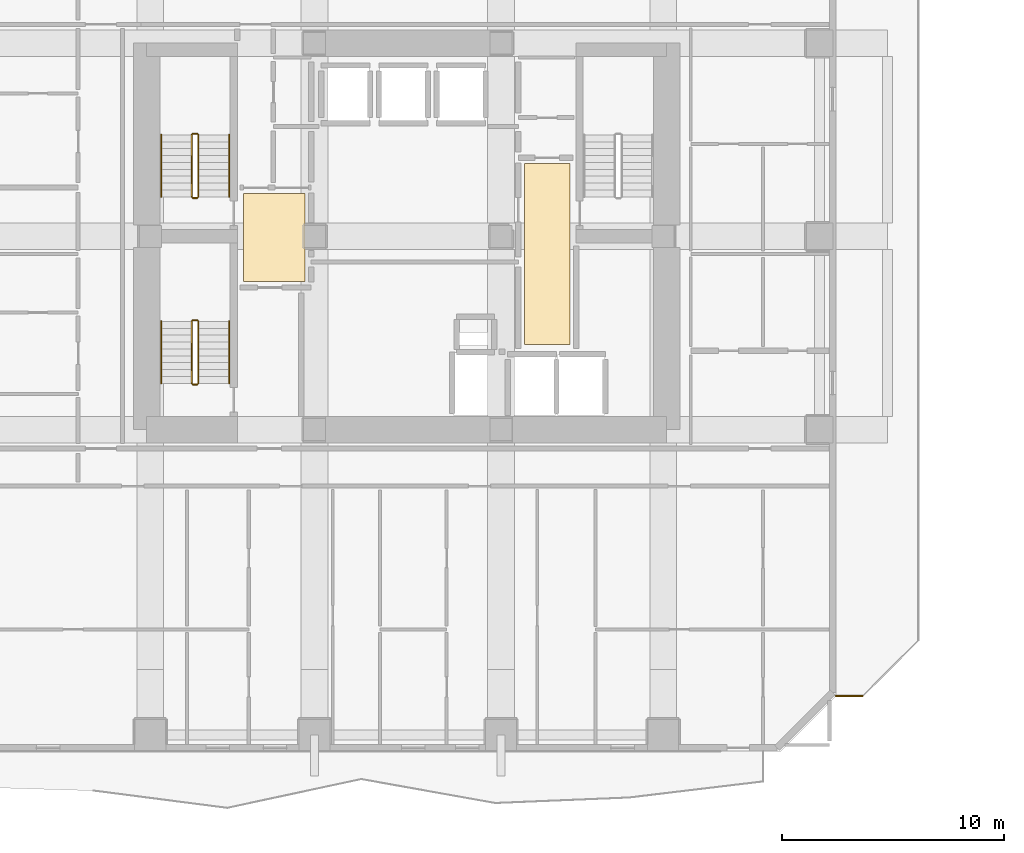
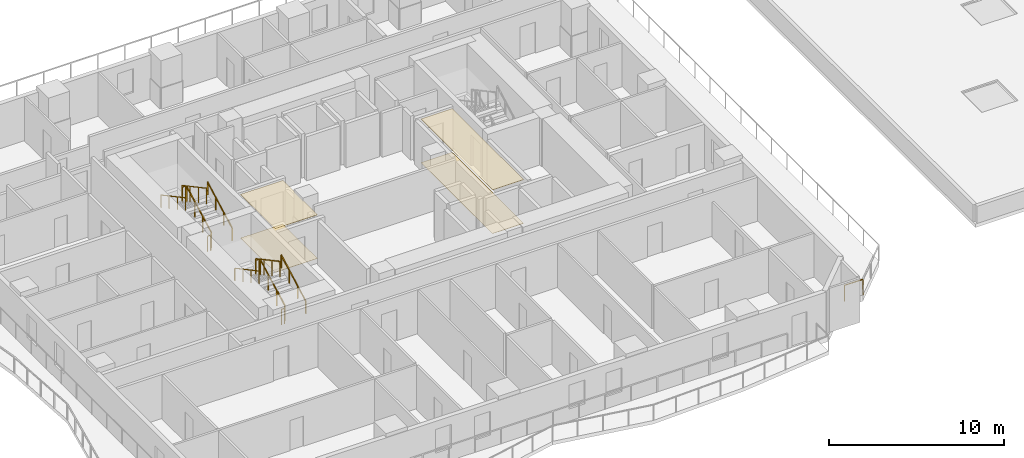
# One storey, part 11 of 13: 13 railings, 4 coverings.
"""IFC4 building model written with IfcOpenShell, lengths in metres."""

from ifc_helpers import new_model, si_unit, direction, frame, origin, origin_2d, place, context, subcontext, project, spatial, polyline, rectangle, outline, extrude, material, layer, layer_set, type_object, element, save


model = new_model("IFC4")

# Units and contexts
model_context = context("Model", 3, precision=1e-05, world=origin(), true_north=direction((0.0, 1.0)))
body_context = subcontext(model_context, "Body", "Model", "MODEL_VIEW")
ifc_project = project(units=[si_unit("LENGTHUNIT", "METRE"), si_unit("AREAUNIT", "SQUARE_METRE"), si_unit("VOLUMEUNIT", "CUBIC_METRE"), si_unit("PLANEANGLEUNIT", "RADIAN"), si_unit("MASSUNIT", "GRAM", prefix="KILO")], contexts=[model_context])

# Site, building, storey
site_placement = place(None, origin())
site = spatial("IfcSite", under=ifc_project, at=site_placement, CompositionType="ELEMENT")
building_placement = place(site_placement, origin())
building = spatial("IfcBuilding", under=site, at=building_placement, Name="Solanera Arch Residences", CompositionType="ELEMENT")
storey_placement = place(building_placement, frame((0.0, 0.0, 22.0)))
storey = spatial("IfcBuildingStorey", under=building, at=storey_placement, Name="L05", CompositionType="ELEMENT", Elevation=22.0)

# Railing
ifc_material_1 = material(Name="Steel S355 (ASTM A992 / A572 Grade 50)", Category="steel")
railing_type_1 = type_object("IfcRailingType", Name="Balustrade Railing BL-1100", PredefinedType="BALUSTRADE", material=ifc_material_1)
railing_1_placement = place(storey_placement, frame((44.280029296875, 10.0, 0.0)))
element("IfcRailing", 1, at=railing_1_placement, inside=storey, type_object=railing_type_1, Name="L05 Sky Terrace Guardrail 1", PredefinedType="BALUSTRADE", context=body_context, shape_type="SweptSolid", body=[
    extrude(rectangle(XDim=0.048095703125, YDim=0.048095703125, at=origin_2d()), frame((0.0, 0.0, 1.09619140625), z_axis=(1.0, 0.0, 0.0), x_axis=(0.0, 1.0, 0.0)), (0.0, 0.0, 1.0), 1.219970703125),
    extrude(rectangle(XDim=0.0419921875, YDim=0.0419921875, at=origin_2d()), origin(), (0.0, 0.0, 1.0), 1.072021484375),
    extrude(rectangle(XDim=0.0419921875, YDim=0.0419921875, at=origin_2d()), frame((1.219970703125, 0.0, 0.0)), (0.0, 0.0, 1.0), 1.072021484375),
])

# Coverings
ifc_material_2 = material(Name="Porcelain Acoustic Floor Tile", Category="ceramic")
ifc_layer_1 = layer(ifc_material_2, 0.02001953125)
ifc_layer_set_1 = layer_set([ifc_layer_1], Name="Porcelain Acoustic Floor Tile")
covering_type_1 = type_object("IfcCoveringType", Name="Porcelain Acoustic Floor Finish FLR-20", PredefinedType="FLOORING", material=ifc_layer_set_1)
covering_1_placement = place(storey_placement, origin())
element("IfcCovering", 2, at=covering_1_placement, inside=storey, type_object=covering_type_1, Name="L05-FFL-W Porcelain Floor Finish", PredefinedType="FLOORING", context=body_context, shape_type="SweptSolid", body=[
    extrude(outline(polyline([(20.375, 28.675048828125), (17.594970703125, 28.675048828125), (17.594970703125, 32.625), (20.375, 32.625), (20.375, 28.675048828125)])), origin(), (0.0, 0.0, 1.0), 0.02001953125),
])
covering_2_placement = place(storey_placement, origin())
element("IfcCovering", 3, at=covering_2_placement, inside=storey, type_object=covering_type_1, Name="L05-FFL-E Porcelain Floor Finish", PredefinedType="FLOORING", context=body_context, shape_type="SweptSolid", body=[
    extrude(outline(polyline([(32.304931640625, 25.824951171875), (30.25, 25.824951171875), (30.25, 33.97509765625), (32.304931640625, 33.97509765625), (32.304931640625, 25.824951171875)])), origin(), (0.0, 0.0, 1.0), 0.02001953125),
])

# Railings
ifc_material_3 = material(Name="Steel S355 (ASTM A992 / A572 Grade 50)", Category="steel")
railing_type_2 = type_object("IfcRailingType", Name="Stair Guardrail GR-1100", PredefinedType="GUARDRAIL", material=ifc_material_3)
railing_2_placement = place(storey_placement, frame((15.570068359375, 32.47998046875, 0.15087890625)))
element("IfcRailing", 4, at=railing_2_placement, inside=storey, type_object=railing_type_2, Name="L05 ST-T1 stair guard 1", PredefinedType="GUARDRAIL", context=body_context, shape_type="SweptSolid", body=[
    extrude(rectangle(XDim=0.048095703125, YDim=0.048095703125, at=origin_2d()), frame((0.0, 0.0, 1.076171875), z_axis=(0.0, 0.881548766853, 0.472092969298), x_axis=(-1.0, 0.0, 0.0)), (0.0, 0.0, 1.0), 3.1650390625),
    extrude(rectangle(XDim=0.0419921875, YDim=0.0419921875, at=origin_2d()), origin(), (0.0, 0.0, 1.0), 1.052001953125),
    extrude(rectangle(XDim=0.0419921875, YDim=0.0419921875, at=origin_2d()), frame((0.0, 0.929931640625, 0.498046875)), (0.0, 0.0, 1.0), 1.052001953125),
    extrude(rectangle(XDim=0.0419921875, YDim=0.0419921875, at=origin_2d()), frame((0.0, 1.860107421875, 0.99609375)), (0.0, 0.0, 1.0), 1.052001953125),
    extrude(rectangle(XDim=0.0419921875, YDim=0.0419921875, at=origin_2d()), frame((0.0, 2.7900390625, 1.494140625)), (0.0, 0.0, 1.0), 1.052001953125),
])
railing_3_placement = place(storey_placement, frame((15.52001953125, 35.320068359375, 1.64501953125)))
element("IfcRailing", 5, at=railing_3_placement, inside=storey, type_object=railing_type_2, Name="L05 ST-T1 stair guard 2", PredefinedType="GUARDRAIL", context=body_context, shape_type="SweptSolid", body=[
    extrude(rectangle(XDim=0.048095703125, YDim=0.048095703125, at=origin_2d()), frame((0.0, 0.0, 1.076171875), z_axis=(-1.0, 0.0, 0.0), x_axis=(0.0, -1.0, 0.0)), (0.0, 0.0, 1.0), 0.199951171875),
    extrude(rectangle(XDim=0.0419921875, YDim=0.0419921875, at=origin_2d()), origin(), (0.0, 0.0, 1.0), 1.052001953125),
    extrude(rectangle(XDim=0.0419921875, YDim=0.0419921875, at=origin_2d()), frame((-0.199951171875, 0.0, 0.0)), (0.0, 0.0, 1.0), 1.052001953125),
])
railing_4_placement = place(storey_placement, frame((15.27001953125, 35.27001953125, 1.81103515625)))
element("IfcRailing", 6, at=railing_4_placement, inside=storey, type_object=railing_type_2, Name="L05 ST-T1 stair guard 3", PredefinedType="GUARDRAIL", context=body_context, shape_type="SweptSolid", body=[
    extrude(rectangle(XDim=0.048095703125, YDim=0.048095703125, at=origin_2d()), frame((0.0, 0.0, 1.076171875), z_axis=(0.0, -0.881580869306, 0.472033018838), x_axis=(1.0, 0.0, 0.0)), (0.0, 0.0, 1.0), 3.164794921875),
    extrude(rectangle(XDim=0.0419921875, YDim=0.0419921875, at=origin_2d()), origin(), (0.0, 0.0, 1.0), 1.052001953125),
    extrude(rectangle(XDim=0.0419921875, YDim=0.0419921875, at=origin_2d()), frame((0.0, -0.929931640625, 0.498046875)), (0.0, 0.0, 1.0), 1.052001953125),
    extrude(rectangle(XDim=0.0419921875, YDim=0.0419921875, at=origin_2d()), frame((0.0, -1.860107421875, 0.995849609375)), (0.0, 0.0, 1.0), 1.052001953125),
    extrude(rectangle(XDim=0.0419921875, YDim=0.0419921875, at=origin_2d()), frame((0.0, -2.7900390625, 1.493896484375)), (0.0, 0.0, 1.0), 1.052001953125),
])
railing_5_placement = place(storey_placement, frame((15.52001953125, 32.429931640625, -0.014892578125)))
element("IfcRailing", 7, at=railing_5_placement, inside=storey, type_object=railing_type_2, Name="L05 ST-T1 stair guard 4", PredefinedType="GUARDRAIL", context=body_context, shape_type="SweptSolid", body=[
    extrude(rectangle(XDim=0.048095703125, YDim=0.048095703125, at=origin_2d()), frame((0.0, 0.0, 1.076171875), z_axis=(-1.0, 0.0, 0.0), x_axis=(0.0, -1.0, 0.0)), (0.0, 0.0, 1.0), 0.199951171875),
    extrude(rectangle(XDim=0.0419921875, YDim=0.0419921875, at=origin_2d()), origin(), (0.0, 0.0, 1.0), 1.052001953125),
    extrude(rectangle(XDim=0.0419921875, YDim=0.0419921875, at=origin_2d()), frame((-0.199951171875, 0.0, 0.0)), (0.0, 0.0, 1.0), 1.052001953125),
])
railing_6_placement = place(storey_placement, frame((15.570068359375, 24.080078125, 0.15087890625)))
element("IfcRailing", 8, at=railing_6_placement, inside=storey, type_object=railing_type_2, Name="L05 ST-T3 stair guard 1", PredefinedType="GUARDRAIL", context=body_context, shape_type="SweptSolid", body=[
    extrude(rectangle(XDim=0.048095703125, YDim=0.048095703125, at=origin_2d()), frame((0.0, 0.0, 1.076171875), z_axis=(0.0, 0.881548766853, 0.472092969298), x_axis=(-1.0, 0.0, 0.0)), (0.0, 0.0, 1.0), 3.1650390625),
    extrude(rectangle(XDim=0.0419921875, YDim=0.0419921875, at=origin_2d()), origin(), (0.0, 0.0, 1.0), 1.052001953125),
    extrude(rectangle(XDim=0.0419921875, YDim=0.0419921875, at=origin_2d()), frame((0.0, 0.929931640625, 0.498046875)), (0.0, 0.0, 1.0), 1.052001953125),
    extrude(rectangle(XDim=0.0419921875, YDim=0.0419921875, at=origin_2d()), frame((0.0, 1.860107421875, 0.99609375)), (0.0, 0.0, 1.0), 1.052001953125),
    extrude(rectangle(XDim=0.0419921875, YDim=0.0419921875, at=origin_2d()), frame((0.0, 2.7900390625, 1.494140625)), (0.0, 0.0, 1.0), 1.052001953125),
])
railing_7_placement = place(storey_placement, frame((15.52001953125, 26.919921875, 1.64501953125)))
element("IfcRailing", 9, at=railing_7_placement, inside=storey, type_object=railing_type_2, Name="L05 ST-T3 stair guard 2", PredefinedType="GUARDRAIL", context=body_context, shape_type="SweptSolid", body=[
    extrude(rectangle(XDim=0.048095703125, YDim=0.048095703125, at=origin_2d()), frame((0.0, 0.0, 1.076171875), z_axis=(-1.0, 0.0, 0.0), x_axis=(0.0, -1.0, 0.0)), (0.0, 0.0, 1.0), 0.199951171875),
    extrude(rectangle(XDim=0.0419921875, YDim=0.0419921875, at=origin_2d()), origin(), (0.0, 0.0, 1.0), 1.052001953125),
    extrude(rectangle(XDim=0.0419921875, YDim=0.0419921875, at=origin_2d()), frame((-0.199951171875, 0.0, 0.0)), (0.0, 0.0, 1.0), 1.052001953125),
])
railing_8_placement = place(storey_placement, frame((15.27001953125, 26.8701171875, 1.81103515625)))
element("IfcRailing", 10, at=railing_8_placement, inside=storey, type_object=railing_type_2, Name="L05 ST-T3 stair guard 3", PredefinedType="GUARDRAIL", context=body_context, shape_type="SweptSolid", body=[
    extrude(rectangle(XDim=0.048095703125, YDim=0.048095703125, at=origin_2d()), frame((0.0, 0.0, 1.076171875), z_axis=(0.0, -0.881580869306, 0.472033018838), x_axis=(1.0, 0.0, 0.0)), (0.0, 0.0, 1.0), 3.164794921875),
    extrude(rectangle(XDim=0.0419921875, YDim=0.0419921875, at=origin_2d()), origin(), (0.0, 0.0, 1.0), 1.052001953125),
    extrude(rectangle(XDim=0.0419921875, YDim=0.0419921875, at=origin_2d()), frame((0.0, -0.929931640625, 0.498046875)), (0.0, 0.0, 1.0), 1.052001953125),
    extrude(rectangle(XDim=0.0419921875, YDim=0.0419921875, at=origin_2d()), frame((0.0, -1.860107421875, 0.995849609375)), (0.0, 0.0, 1.0), 1.052001953125),
    extrude(rectangle(XDim=0.0419921875, YDim=0.0419921875, at=origin_2d()), frame((0.0, -2.7900390625, 1.493896484375)), (0.0, 0.0, 1.0), 1.052001953125),
])
railing_9_placement = place(storey_placement, frame((15.52001953125, 24.030029296875, -0.014892578125)))
element("IfcRailing", 11, at=railing_9_placement, inside=storey, type_object=railing_type_2, Name="L05 ST-T3 stair guard 4", PredefinedType="GUARDRAIL", context=body_context, shape_type="SweptSolid", body=[
    extrude(rectangle(XDim=0.048095703125, YDim=0.048095703125, at=origin_2d()), frame((0.0, 0.0, 1.076171875), z_axis=(-1.0, 0.0, 0.0), x_axis=(0.0, -1.0, 0.0)), (0.0, 0.0, 1.0), 0.199951171875),
    extrude(rectangle(XDim=0.0419921875, YDim=0.0419921875, at=origin_2d()), origin(), (0.0, 0.0, 1.0), 1.052001953125),
    extrude(rectangle(XDim=0.0419921875, YDim=0.0419921875, at=origin_2d()), frame((-0.199951171875, 0.0, 0.0)), (0.0, 0.0, 1.0), 1.052001953125),
])
ifc_material_4 = material(Name="Steel S355 (ASTM A992 / A572 Grade 50)", Category="steel")
railing_type_3 = type_object("IfcRailingType", Name="Stair Wall Handrail HR-920", PredefinedType="HANDRAIL", material=ifc_material_4)
railing_10_placement = place(storey_placement, frame((16.949951171875, 32.47998046875, 0.166015625)))
element("IfcRailing", 12, at=railing_10_placement, inside=storey, type_object=railing_type_3, Name="L05 ST-T1 stair handrail 1", PredefinedType="HANDRAIL", context=body_context, shape_type="SweptSolid", body=[
    extrude(rectangle(XDim=0.048095703125, YDim=0.048095703125, at=origin_2d()), frame((0.0, 0.0, 0.8759765625), z_axis=(0.0, 0.881580869306, 0.472033018838), x_axis=(-1.0, 0.0, 0.0)), (0.0, 0.0, 1.0), 3.164794921875),
    extrude(rectangle(XDim=0.0419921875, YDim=0.0419921875, at=origin_2d()), origin(), (0.0, 0.0, 1.0), 0.851806640625),
    extrude(rectangle(XDim=0.0419921875, YDim=0.0419921875, at=origin_2d()), frame((0.0, 0.929931640625, 0.498046875)), (0.0, 0.0, 1.0), 0.851806640625),
    extrude(rectangle(XDim=0.0419921875, YDim=0.0419921875, at=origin_2d()), frame((0.0, 1.860107421875, 0.995849609375)), (0.0, 0.0, 1.0), 0.851806640625),
    extrude(rectangle(XDim=0.0419921875, YDim=0.0419921875, at=origin_2d()), frame((0.0, 2.7900390625, 1.493896484375)), (0.0, 0.0, 1.0), 0.851806640625),
])
railing_11_placement = place(storey_placement, frame((13.889892578125, 35.27001953125, 1.825927734375)))
element("IfcRailing", 13, at=railing_11_placement, inside=storey, type_object=railing_type_3, Name="L05 ST-T1 stair handrail 2", PredefinedType="HANDRAIL", context=body_context, shape_type="SweptSolid", body=[
    extrude(rectangle(XDim=0.048095703125, YDim=0.048095703125, at=origin_2d()), frame((0.0, 0.0, 0.8759765625), z_axis=(0.0, -0.881548766853, 0.472092969298), x_axis=(1.0, 0.0, 0.0)), (0.0, 0.0, 1.0), 3.1650390625),
    extrude(rectangle(XDim=0.0419921875, YDim=0.0419921875, at=origin_2d()), origin(), (0.0, 0.0, 1.0), 0.851806640625),
    extrude(rectangle(XDim=0.0419921875, YDim=0.0419921875, at=origin_2d()), frame((0.0, -0.929931640625, 0.498046875)), (0.0, 0.0, 1.0), 0.851806640625),
    extrude(rectangle(XDim=0.0419921875, YDim=0.0419921875, at=origin_2d()), frame((0.0, -1.860107421875, 0.99609375)), (0.0, 0.0, 1.0), 0.851806640625),
    extrude(rectangle(XDim=0.0419921875, YDim=0.0419921875, at=origin_2d()), frame((0.0, -2.7900390625, 1.494140625)), (0.0, 0.0, 1.0), 0.851806640625),
])
railing_12_placement = place(storey_placement, frame((16.949951171875, 24.080078125, 0.166015625)))
element("IfcRailing", 14, at=railing_12_placement, inside=storey, type_object=railing_type_3, Name="L05 ST-T3 stair handrail 1", PredefinedType="HANDRAIL", context=body_context, shape_type="SweptSolid", body=[
    extrude(rectangle(XDim=0.048095703125, YDim=0.048095703125, at=origin_2d()), frame((0.0, 0.0, 0.8759765625), z_axis=(0.0, 0.881580869306, 0.472033018838), x_axis=(-1.0, 0.0, 0.0)), (0.0, 0.0, 1.0), 3.164794921875),
    extrude(rectangle(XDim=0.0419921875, YDim=0.0419921875, at=origin_2d()), origin(), (0.0, 0.0, 1.0), 0.851806640625),
    extrude(rectangle(XDim=0.0419921875, YDim=0.0419921875, at=origin_2d()), frame((0.0, 0.929931640625, 0.498046875)), (0.0, 0.0, 1.0), 0.851806640625),
    extrude(rectangle(XDim=0.0419921875, YDim=0.0419921875, at=origin_2d()), frame((0.0, 1.860107421875, 0.995849609375)), (0.0, 0.0, 1.0), 0.851806640625),
    extrude(rectangle(XDim=0.0419921875, YDim=0.0419921875, at=origin_2d()), frame((0.0, 2.7900390625, 1.493896484375)), (0.0, 0.0, 1.0), 0.851806640625),
])
railing_13_placement = place(storey_placement, frame((13.889892578125, 26.8701171875, 1.825927734375)))
element("IfcRailing", 15, at=railing_13_placement, inside=storey, type_object=railing_type_3, Name="L05 ST-T3 stair handrail 2", PredefinedType="HANDRAIL", context=body_context, shape_type="SweptSolid", body=[
    extrude(rectangle(XDim=0.048095703125, YDim=0.048095703125, at=origin_2d()), frame((0.0, 0.0, 0.8759765625), z_axis=(0.0, -0.881548766853, 0.472092969298), x_axis=(1.0, 0.0, 0.0)), (0.0, 0.0, 1.0), 3.1650390625),
    extrude(rectangle(XDim=0.0419921875, YDim=0.0419921875, at=origin_2d()), origin(), (0.0, 0.0, 1.0), 0.851806640625),
    extrude(rectangle(XDim=0.0419921875, YDim=0.0419921875, at=origin_2d()), frame((0.0, -0.929931640625, 0.498046875)), (0.0, 0.0, 1.0), 0.851806640625),
    extrude(rectangle(XDim=0.0419921875, YDim=0.0419921875, at=origin_2d()), frame((0.0, -1.860107421875, 0.99609375)), (0.0, 0.0, 1.0), 0.851806640625),
    extrude(rectangle(XDim=0.0419921875, YDim=0.0419921875, at=origin_2d()), frame((0.0, -2.7900390625, 1.494140625)), (0.0, 0.0, 1.0), 0.851806640625),
])

# Coverings
ifc_material_5 = material(Name="Mineral Fibre Acoustic Ceiling Board", Category="gypsum")
ifc_layer_2 = layer(ifc_material_5, 0.02490234375)
ifc_layer_set_2 = layer_set([ifc_layer_2], Name="Mineral Fibre Acoustic Ceiling Board")
covering_type_2 = type_object("IfcCoveringType", Name="Suspended Acoustic Ceiling Board CLG-25", PredefinedType="CEILING", material=ifc_layer_set_2)
covering_3_placement = place(storey_placement, frame((0.0, 0.0, 3.034912109375)))
element("IfcCovering", 16, at=covering_3_placement, inside=storey, type_object=covering_type_2, Name="L05-FFL-W Acoustic Ceiling", PredefinedType="CEILING", context=body_context, shape_type="SweptSolid", body=[
    extrude(outline(polyline([(20.375, 28.675048828125), (17.594970703125, 28.675048828125), (17.594970703125, 32.625), (20.375, 32.625), (20.375, 28.675048828125)])), origin(), (0.0, 0.0, 1.0), 0.025146484375),
])
covering_4_placement = place(storey_placement, frame((0.0, 0.0, 3.034912109375)))
element("IfcCovering", 17, at=covering_4_placement, inside=storey, type_object=covering_type_2, Name="L05-FFL-E Acoustic Ceiling", PredefinedType="CEILING", context=body_context, shape_type="SweptSolid", body=[
    extrude(outline(polyline([(32.304931640625, 25.824951171875), (30.25, 25.824951171875), (30.25, 33.97509765625), (32.304931640625, 33.97509765625), (32.304931640625, 25.824951171875)])), origin(), (0.0, 0.0, 1.0), 0.025146484375),
])

save(model, "model.ifc")
